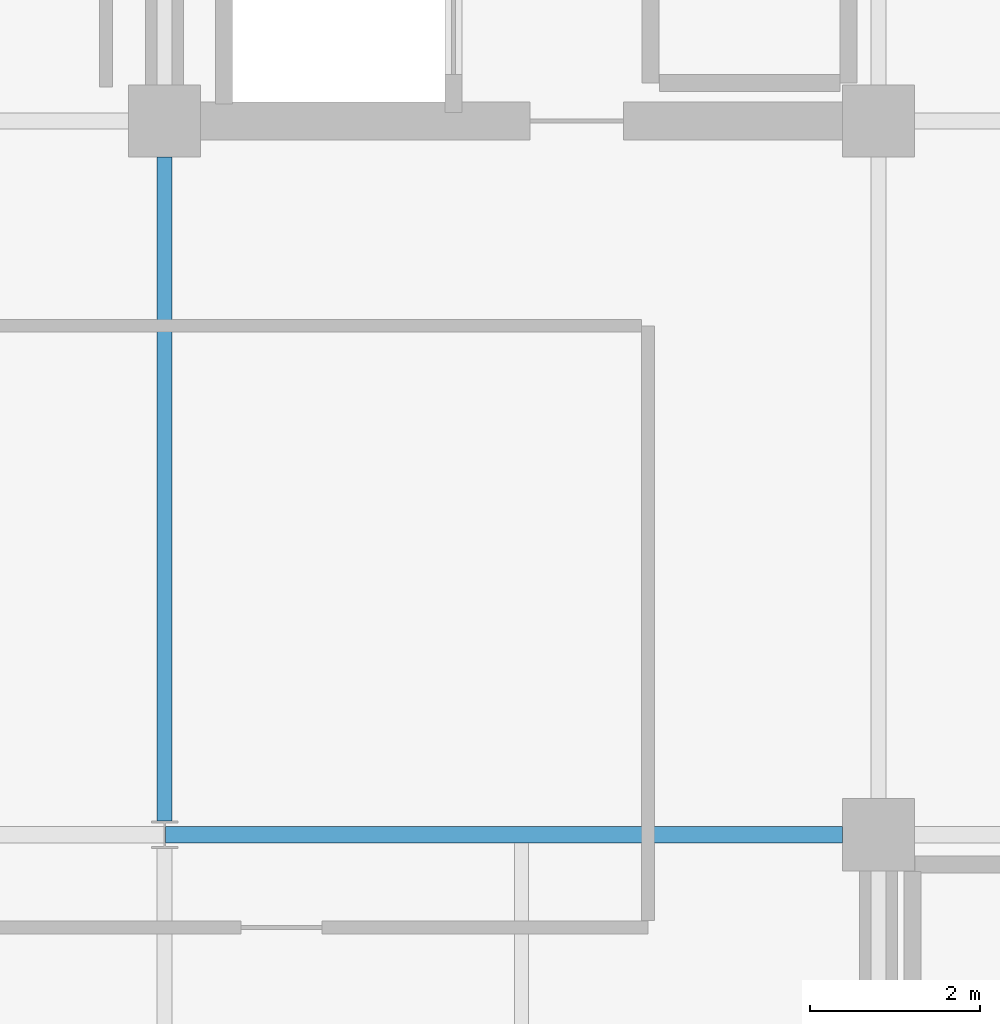
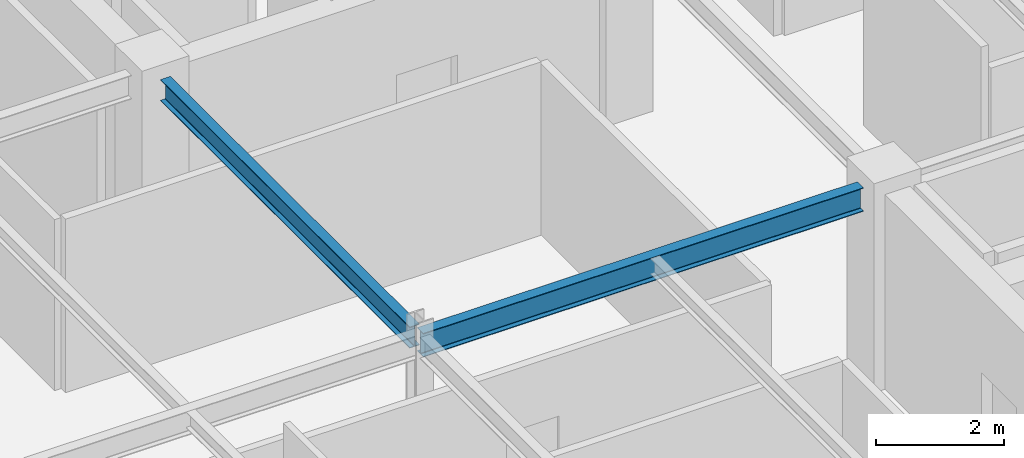
# One storey, part 10 of 26: 2 beams.
"""IFC4 building model written with IfcOpenShell, lengths in metres."""

from ifc_helpers import new_model, si_unit, direction, frame, origin, origin_2d, place, context, subcontext, project, spatial, i_section, extrude, material, material_profile, profile_set, type_object, element, save


model = new_model("IFC4")

# Units and contexts
model_context = context("Model", 3, precision=1e-05, world=origin(), true_north=direction((0.0, 1.0)))
body_context = subcontext(model_context, "Body", "Model", "MODEL_VIEW")
ifc_project = project(units=[si_unit("LENGTHUNIT", "METRE"), si_unit("AREAUNIT", "SQUARE_METRE"), si_unit("VOLUMEUNIT", "CUBIC_METRE"), si_unit("PLANEANGLEUNIT", "RADIAN"), si_unit("MASSUNIT", "GRAM", prefix="KILO")], contexts=[model_context])

# Site, building, storey
site_placement = place(None, origin())
site = spatial("IfcSite", under=ifc_project, at=site_placement, CompositionType="ELEMENT")
building_placement = place(site_placement, origin())
building = spatial("IfcBuilding", under=site, at=building_placement, Name="Nerrivon Quay Data Exchange", CompositionType="ELEMENT")
storey_placement = place(building_placement, frame((0.0, 0.0, 270.199951171875)))
storey = spatial("IfcBuildingStorey", under=building, at=storey_placement, Name="L64", CompositionType="ELEMENT", Elevation=270.199951171875)

# Beams
ifc_material = material(Name="Steel Grade 350", Category="steel")
ifc_material_profile_1 = material_profile(ifc_material, i_section(OverallWidth=0.18994140625, OverallDepth=0.4541015625, WebThickness=0.008544921875, FlangeThickness=0.0126953125, FilletRadius=0.011474609375, at=origin_2d()), Name="460UB67.1")
ifc_profile_set_1 = profile_set([ifc_material_profile_1], Name="Steel Grade 350")
beam_type_1 = type_object("IfcBeamType", Name="BM-G6-460UB67", PredefinedType="BEAM", material=ifc_profile_set_1)
beam_1_placement = place(storey_placement, frame((8.40771484375, 16.800048828125, 3.498046875), z_axis=(1.0, 0.0, 0.0), x_axis=(0.0, 1.0, 0.0)))
element("IfcBeam", 1, at=beam_1_placement, inside=storey, type_object=beam_type_1, Name="L64 EW Girder Y=16.8 (8.4..16.8)", PredefinedType="BEAM", context=body_context, shape_type="SweptSolid", body=[
    extrude(i_section(OverallWidth=0.18994140625, OverallDepth=0.4541015625, WebThickness=0.008544921875, FlangeThickness=0.0126953125, FilletRadius=0.011474609375, at=origin_2d()), origin(), (0.0, 0.0, 1.0), 7.96728515625),
])
ifc_material_profile_2 = material_profile(ifc_material, i_section(OverallWidth=0.177978515625, OverallDepth=0.406005859375, WebThickness=0.0078125, FlangeThickness=0.0126953125, FilletRadius=0.011474609375, at=origin_2d()), Name="410UB59.7")
ifc_profile_set_2 = profile_set([ifc_material_profile_2], Name="Steel Grade 350")
beam_type_2 = type_object("IfcBeamType", Name="BM-J1-410UB60", PredefinedType="JOIST", material=ifc_profile_set_2)
beam_2_placement = place(storey_placement, frame((8.39990234375, 16.96337890625, 3.52197265625), z_axis=(0.0, 1.0, 0.0), x_axis=(-1.0, 0.0, 0.0)))
element("IfcBeam", 2, at=beam_2_placement, inside=storey, type_object=beam_type_2, Name="L64 NS Girder X=8.4 (16.8..25.2)", PredefinedType="JOIST", context=body_context, shape_type="SweptSolid", body=[
    extrude(i_section(OverallWidth=0.177978515625, OverallDepth=0.406005859375, WebThickness=0.0078125, FlangeThickness=0.0126953125, FilletRadius=0.011474609375, at=origin_2d()), origin(), (0.0, 0.0, 1.0), 7.8115234375),
])

save(model, "model.ifc")
